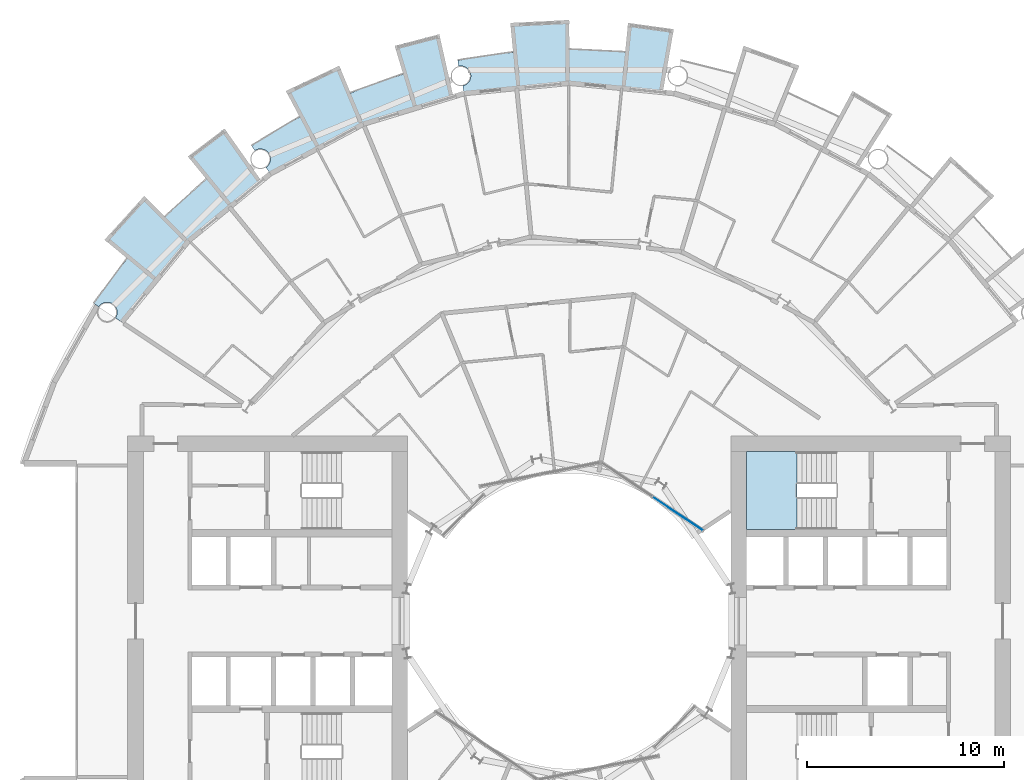
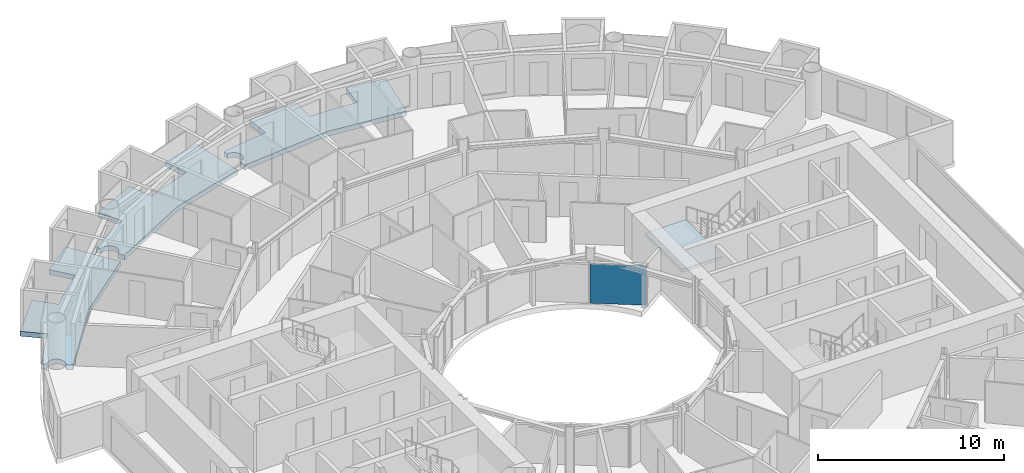
# One storey, part 11 of 26: 4 slabs, 1 plate, 2 elements without a shape of their own.
"""IFC4 building model written with IfcOpenShell, lengths in metres."""

from ifc_helpers import new_model, si_unit, direction, frame, origin, origin_2d, place, context, subcontext, project, spatial, polyline, rectangle, outline, extrude, material, layer, layer_set, type_object, element, aggregate, save


model = new_model("IFC4")

# Units and contexts
model_context = context("Model", 3, precision=1e-05, world=origin(), true_north=direction((0.0, 1.0)))
body_context = subcontext(model_context, "Body", "Model", "MODEL_VIEW")
ifc_project = project(units=[si_unit("LENGTHUNIT", "METRE"), si_unit("AREAUNIT", "SQUARE_METRE"), si_unit("VOLUMEUNIT", "CUBIC_METRE"), si_unit("PLANEANGLEUNIT", "RADIAN"), si_unit("MASSUNIT", "GRAM", prefix="KILO")], contexts=[model_context])

# Site, building, storey
site_placement = place(None, origin())
site = spatial("IfcSite", under=ifc_project, at=site_placement, CompositionType="ELEMENT")
building_placement = place(site_placement, origin())
building = spatial("IfcBuilding", under=site, at=building_placement, Name="Maasbend Ring Residences", CompositionType="ELEMENT")
storey_placement = place(building_placement, frame((0.0, 0.0, 22.800048828125)))
storey = spatial("IfcBuildingStorey", under=building, at=storey_placement, Name="L05", CompositionType="ELEMENT", Elevation=22.800048828125)

# Stair, slab
ifc_material_1 = material(Name="Concrete C40/50", Category="concrete")
stair_type = type_object("IfcStairType", Name="CORE STAIR 18 RISERS", PredefinedType="HALF_TURN_STAIR", material=ifc_material_1)
stair_placement = place(storey_placement, origin())
stair = element("IfcStair", 1, at=stair_placement, inside=storey, type_object=stair_type, Name="L05 Exit stair ST-E1", PredefinedType="HALF_TURN_STAIR")
ifc_material_2 = material(Name="Concrete C40/50", Category="concrete")
ifc_layer_1 = layer(ifc_material_2, 0.199951171875)
ifc_layer_set_1 = layer_set([ifc_layer_1], Name="Concrete C40/50")
slab_type_1 = type_object("IfcSlabType", Name="CORE STAIR LANDING 200", PredefinedType="LANDING", material=ifc_layer_set_1)
slab_1_placement = place(storey_placement, frame((0.0, 0.0, 1.324951171875)))
slab_1 = element("IfcSlab", 2, at=slab_1_placement, type_object=slab_type_1, Name="ST-E1 landing 1", PredefinedType="LANDING", context=body_context, shape_type="SweptSolid", body=[
    extrude(outline(polyline([(11.550048828125, 8.60009765625), (9.0, 8.60009765625), (9.0, 4.64990234375), (11.550048828125, 4.64990234375), (11.550048828125, 8.60009765625)])), origin(), (0.0, 0.0, 1.0), 0.199951171875),
])
aggregate(stair, [slab_1])

# Curtain wall, plate
ifc_material_3 = material(Name="Aluminium and clear glass", Category="aluminium")
ifc_layer_2 = layer(ifc_material_3, 0.179931640625)
ifc_layer_set_2 = layer_set([ifc_layer_2], Name="CW-W")
curtain_wall_type = type_object("IfcCurtainWallType", Name="CW-W", PredefinedType="NOTDEFINED", material=ifc_layer_set_2)
curtain_wall_placement = place(storey_placement, origin())
curtain_wall = element("IfcCurtainWall", 3, at=curtain_wall_placement, inside=storey, type_object=curtain_wall_type, Name="Well curtain wall N1", PredefinedType="NOTDEFINED")
ifc_material_4 = material(Name="Glass clear laminated", Category="glass")
ifc_layer_3 = layer(ifc_material_4, 0.031982421875)
ifc_layer_set_3 = layer_set([ifc_layer_3], Name="CWP-W")
plate_type = type_object("IfcPlateType", Name="CWP-W", PredefinedType="CURTAIN_PANEL", material=ifc_layer_set_3)
plate_placement = place(storey_placement, frame((5.51123046875, 5.44580078125, 0.0), z_axis=(0.0, 0.0, 1.0), x_axis=(-0.831469612303, 0.55557023302, 0.0)))
plate = element("IfcPlate", 4, at=plate_placement, type_object=plate_type, Name="Glass panel well face", PredefinedType="CURTAIN_PANEL", context=body_context, shape_type="SweptSolid", body=[
    extrude(rectangle(XDim=3.053955078125, YDim=0.031982421875, at=origin_2d()), origin(), (0.0, 0.0, 1.0), 2.580078125),
])
aggregate(curtain_wall, [plate])

# Slabs
ifc_material_5 = material(Name="Concrete C40/50", Category="concrete")
ifc_layer_4 = layer(ifc_material_5, 0.199951171875)
ifc_layer_set_4 = layer_set([ifc_layer_4], Name="Concrete C40/50")
slab_type_2 = type_object("IfcSlabType", Name="SL-LOGGIA", PredefinedType="FLOOR", material=ifc_layer_set_4)
slab_2_placement = place(storey_placement, frame((0.0, 0.0, -0.35009765625)))
element("IfcSlab", 5, at=slab_2_placement, inside=storey, type_object=slab_type_2, Name="Loggia floor 1", PredefinedType="FLOOR", context=body_context, shape_type="SweptSolid", body=[
    extrude(outline(polyline([(-14.5, 25.114990234375), (-13.6708984375, 25.574951171875), (-13.6708984375, 25.575927734375), (-13.6708984375, 25.575927734375), (-13.6708984375, 25.575927734375), (-13.6708984375, 25.575927734375), (-13.6708984375, 25.575927734375), (-13.6708984375, 25.575927734375), (-13.6708984375, 25.575927734375), (-13.6708984375, 25.575927734375), (-13.6708984375, 25.575927734375), (-13.6708984375, 25.575927734375), (-13.6708984375, 25.575927734375), (-13.6708984375, 25.575927734375), (-13.6708984375, 25.575927734375), (-13.6708984375, 25.575927734375), (-13.6708984375, 25.575927734375), (-13.6708984375, 25.575927734375), (-14.3779296875, 26.89892578125), (-14.3779296875, 26.89892578125), (-14.3779296875, 26.89892578125), (-11.672119140625, 28.177978515625), (-11.672119140625, 28.177978515625), (-11.672119140625, 28.177978515625), (-11.097900390625, 26.79296875), (-11.097900390625, 26.79296875), (-11.097900390625, 26.79296875), (-11.097900390625, 26.79296875), (-11.097900390625, 26.79296875), (-11.097900390625, 26.79296875), (-11.097900390625, 26.79296875), (-11.097900390625, 26.79296875), (-11.097900390625, 26.79296875), (-11.097900390625, 26.79296875), (-11.097900390625, 26.79296875), (-11.097900390625, 26.79296875), (-11.097900390625, 26.79296875), (-11.097900390625, 26.79296875), (-11.096923828125, 26.79296875), (-11.096923828125, 26.79296875), (-11.096923828125, 26.79296875), (-10.215087890625, 27.14111328125), (-10.215087890625, 27.14111328125), (-9.322021484375, 27.4609375), (-9.322021484375, 27.4609375), (-8.4189453125, 27.7509765625), (-8.4189453125, 27.7509765625), (-8.4189453125, 27.7509765625), (-8.4189453125, 27.7509765625), (-8.4189453125, 27.7509765625), (-8.4189453125, 27.7509765625), (-8.41796875, 27.7509765625), (-8.41796875, 27.7509765625), (-8.41796875, 27.7509765625), (-8.41796875, 27.7509765625), (-8.41796875, 27.7509765625), (-8.41796875, 27.751953125), (-8.41796875, 27.751953125), (-8.41796875, 27.751953125), (-8.41796875, 27.751953125), (-8.41796875, 27.751953125), (-8.41796875, 27.751953125), (-8.85400390625, 29.18701171875), (-8.85400390625, 29.18701171875), (-8.85400390625, 29.18701171875), (-6.593994140625, 29.779052734375), (-6.593994140625, 29.779052734375), (-6.593994140625, 29.779052734375), (-5.89111328125, 26.60400390625), (-5.89111328125, 26.60400390625), (-5.89111328125, 26.60400390625), (-7.886962890625, 25.9990234375), (-10.447021484375, 25.221923828125), (-10.447021484375, 25.221923828125), (-10.447021484375, 25.221923828125), (-12.806884765625, 23.9609375), (-15.1669921875, 22.698974609375), (-15.1669921875, 22.698974609375), (-15.1669921875, 22.698974609375), (-15.385009765625, 23.02490234375), (-15.375, 23.031982421875), (-15.364013671875, 23.0390625), (-15.35498046875, 23.047119140625), (-15.344970703125, 23.054931640625), (-15.3349609375, 23.06298828125), (-15.325927734375, 23.071044921875), (-15.31689453125, 23.0791015625), (-15.30810546875, 23.087890625), (-15.299072265625, 23.096923828125), (-15.291015625, 23.10595703125), (-15.281982421875, 23.115966796875), (-15.27392578125, 23.125), (-15.26708984375, 23.135009765625), (-15.259033203125, 23.14501953125), (-15.251953125, 23.155029296875), (-15.2451171875, 23.1650390625), (-15.238037109375, 23.176025390625), (-15.23095703125, 23.18603515625), (-15.22509765625, 23.197021484375), (-15.218994140625, 23.2080078125), (-15.212890625, 23.218994140625), (-15.2080078125, 23.22998046875), (-15.202880859375, 23.241943359375), (-15.197998046875, 23.2529296875), (-15.193115234375, 23.264892578125), (-15.18896484375, 23.27587890625), (-15.18505859375, 23.2880859375), (-15.180908203125, 23.300048828125), (-15.177978515625, 23.31201171875), (-15.174072265625, 23.323974609375), (-15.1708984375, 23.3359375), (-15.1689453125, 23.347900390625), (-15.1669921875, 23.361083984375), (-15.1650390625, 23.373046875), (-15.1630859375, 23.385009765625), (-15.162109375, 23.39794921875), (-15.159912109375, 23.409912109375), (-15.159912109375, 23.422119140625), (-15.158935546875, 23.43505859375), (-15.158935546875, 23.447021484375), (-15.158935546875, 23.4599609375), (-15.159912109375, 23.471923828125), (-15.159912109375, 23.485107421875), (-15.162109375, 23.4970703125), (-15.1630859375, 23.510009765625), (-15.1650390625, 23.52197265625), (-15.1669921875, 23.533935546875), (-15.1689453125, 23.547119140625), (-15.1708984375, 23.55908203125), (-15.174072265625, 23.571044921875), (-15.177978515625, 23.5830078125), (-15.180908203125, 23.594970703125), (-15.18505859375, 23.60693359375), (-15.18896484375, 23.618896484375), (-15.193115234375, 23.6298828125), (-15.197998046875, 23.64208984375), (-15.202880859375, 23.653076171875), (-15.2080078125, 23.6650390625), (-15.212890625, 23.676025390625), (-15.218994140625, 23.68701171875), (-15.22509765625, 23.697998046875), (-15.23095703125, 23.708984375), (-15.238037109375, 23.718994140625), (-15.2451171875, 23.72998046875), (-15.251953125, 23.739990234375), (-15.259033203125, 23.75), (-15.26708984375, 23.760009765625), (-15.27392578125, 23.77001953125), (-15.281982421875, 23.779052734375), (-15.291015625, 23.7890625), (-15.299072265625, 23.798095703125), (-15.30810546875, 23.806884765625), (-15.31689453125, 23.81494140625), (-15.325927734375, 23.823974609375), (-15.3349609375, 23.83203125), (-15.344970703125, 23.840087890625), (-15.35498046875, 23.847900390625), (-15.364013671875, 23.85498046875), (-15.375, 23.863037109375), (-15.385009765625, 23.8701171875), (-15.39501953125, 23.876953125), (-15.406005859375, 23.883056640625), (-15.4169921875, 23.888916015625), (-15.427978515625, 23.89501953125), (-15.43896484375, 23.90087890625), (-15.449951171875, 23.906982421875), (-15.4609375, 23.912109375), (-15.472900390625, 23.9169921875), (-15.48388671875, 23.9208984375), (-15.49609375, 23.926025390625), (-15.508056640625, 23.929931640625), (-15.52001953125, 23.93408203125), (-15.531982421875, 23.93701171875), (-15.5439453125, 23.93994140625), (-15.555908203125, 23.943115234375), (-15.568115234375, 23.946044921875), (-15.580078125, 23.947998046875), (-15.593017578125, 23.949951171875), (-15.60498046875, 23.951904296875), (-15.616943359375, 23.952880859375), (-15.6298828125, 23.9541015625), (-15.64208984375, 23.955078125), (-15.655029296875, 23.955078125), (-15.6669921875, 23.955078125), (-15.679931640625, 23.955078125), (-15.69189453125, 23.955078125), (-15.7041015625, 23.9541015625), (-15.717041015625, 23.952880859375), (-15.72900390625, 23.951904296875), (-15.741943359375, 23.949951171875), (-15.75390625, 23.947998046875), (-15.76611328125, 23.946044921875), (-15.778076171875, 23.943115234375), (-15.791015625, 23.93994140625), (-15.802978515625, 23.93701171875), (-15.81494140625, 23.93408203125), (-15.825927734375, 23.929931640625), (-15.837890625, 23.926025390625), (-15.85009765625, 23.9208984375), (-15.862060546875, 23.9169921875), (-15.873046875, 23.912109375), (-15.884033203125, 23.906982421875), (-15.89599609375, 23.90087890625), (-15.906982421875, 23.89501953125), (-15.9169921875, 23.888916015625), (-15.927978515625, 23.883056640625), (-15.93896484375, 23.876953125), (-15.948974609375, 23.8701171875), (-16.112060546875, 24.113037109375), (-16.112060546875, 24.113037109375), (-16.112060546875, 24.113037109375), (-15.31396484375, 24.626953125), (-15.31396484375, 24.626953125), (-14.5, 25.114990234375), (-14.5, 25.114990234375)])), origin(), (0.0, 0.0, 1.0), 0.320068359375),
])
slab_3_placement = place(storey_placement, frame((0.0, 0.0, -0.35009765625)))
element("IfcSlab", 6, at=slab_3_placement, inside=storey, type_object=slab_type_2, Name="Loggia floor 3", PredefinedType="FLOOR", context=body_context, shape_type="SweptSolid", body=[
    extrude(outline(polyline([(-3.784912109375, 28.751953125), (-2.843017578125, 28.860107421875), (-2.843017578125, 28.860107421875), (-2.843017578125, 28.860107421875), (-2.843017578125, 28.860107421875), (-2.843017578125, 28.860107421875), (-2.843017578125, 28.860107421875), (-2.843017578125, 28.860107421875), (-2.843017578125, 28.860107421875), (-2.843017578125, 28.860107421875), (-2.843017578125, 28.861083984375), (-2.843017578125, 28.861083984375), (-2.843017578125, 28.861083984375), (-2.843017578125, 28.861083984375), (-2.843017578125, 28.861083984375), (-2.843017578125, 28.861083984375), (-2.843017578125, 28.861083984375), (-2.843017578125, 28.861083984375), (-2.989990234375, 30.35302734375), (-2.989990234375, 30.35302734375), (-2.989990234375, 30.35302734375), (0.0, 30.5), (0.0, 30.5), (0.0, 30.5), (0.0, 29.0), (0.0, 29.0), (0.0, 29.0), (0.0, 29.0), (0.0, 29.0), (0.0, 29.0), (0.0, 29.0), (0.0, 29.0), (0.0, 29.0), (0.0, 29.0), (0.0, 29.0), (0.0, 29.0), (0.0, 29.0), (0.0, 29.0), (0.0, 29.0), (0.0, 29.0), (0.0, 29.0), (0.948974609375, 28.98388671875), (0.948974609375, 28.98388671875), (1.89697265625, 28.93798828125), (1.89697265625, 28.93798828125), (2.842041015625, 28.860107421875), (2.842041015625, 28.860107421875), (2.842041015625, 28.860107421875), (2.842041015625, 28.860107421875), (2.842041015625, 28.860107421875), (2.842041015625, 28.860107421875), (2.842041015625, 28.860107421875), (2.842041015625, 28.860107421875), (2.842041015625, 28.861083984375), (2.842041015625, 28.861083984375), (2.842041015625, 28.861083984375), (2.842041015625, 28.861083984375), (2.842041015625, 28.861083984375), (2.843017578125, 28.861083984375), (2.843017578125, 28.861083984375), (2.843017578125, 28.861083984375), (2.843017578125, 28.861083984375), (2.989990234375, 30.35302734375), (2.989990234375, 30.35302734375), (2.989990234375, 30.35302734375), (5.303955078125, 30.034912109375), (5.303955078125, 30.034912109375), (5.303955078125, 30.034912109375), (4.739013671875, 26.8330078125), (4.739013671875, 26.8330078125), (4.739013671875, 26.8330078125), (2.6630859375, 27.0380859375), (0.0, 27.300048828125), (0.0, 27.300048828125), (0.0, 27.300048828125), (-2.6630859375, 27.0380859375), (-5.325927734375, 26.77490234375), (-5.325927734375, 26.77490234375), (-5.325927734375, 26.77490234375), (-5.402099609375, 27.159912109375), (-5.402099609375, 27.159912109375), (-5.389892578125, 27.162109375), (-5.3779296875, 27.1650390625), (-5.365966796875, 27.1689453125), (-5.35400390625, 27.172119140625), (-5.342041015625, 27.176025390625), (-5.330078125, 27.179931640625), (-5.319091796875, 27.18408203125), (-5.306884765625, 27.18896484375), (-5.2958984375, 27.194091796875), (-5.283935546875, 27.198974609375), (-5.27294921875, 27.2041015625), (-5.261962890625, 27.2099609375), (-5.2509765625, 27.216064453125), (-5.239990234375, 27.221923828125), (-5.22998046875, 27.22900390625), (-5.218994140625, 27.236083984375), (-5.208984375, 27.242919921875), (-5.198974609375, 27.25), (-5.18896484375, 27.258056640625), (-5.178955078125, 27.264892578125), (-5.169921875, 27.27294921875), (-5.159912109375, 27.281982421875), (-5.15087890625, 27.2900390625), (-5.14208984375, 27.299072265625), (-5.134033203125, 27.30810546875), (-5.125, 27.31689453125), (-5.116943359375, 27.325927734375), (-5.10888671875, 27.3359375), (-5.10107421875, 27.345947265625), (-5.093017578125, 27.35498046875), (-5.0859375, 27.365966796875), (-5.0791015625, 27.3759765625), (-5.072021484375, 27.385986328125), (-5.06591796875, 27.39697265625), (-5.05908203125, 27.407958984375), (-5.052978515625, 27.4189453125), (-5.048095703125, 27.429931640625), (-5.0419921875, 27.44091796875), (-5.037109375, 27.451904296875), (-5.031982421875, 27.464111328125), (-5.028076171875, 27.47509765625), (-5.02294921875, 27.487060546875), (-5.01904296875, 27.4990234375), (-5.014892578125, 27.510986328125), (-5.011962890625, 27.52294921875), (-5.009033203125, 27.534912109375), (-5.006103515625, 27.547119140625), (-5.0029296875, 27.55908203125), (-5.0009765625, 27.571044921875), (-4.9990234375, 27.583984375), (-4.9970703125, 27.595947265625), (-4.99609375, 27.60791015625), (-4.9951171875, 27.62109375), (-4.993896484375, 27.633056640625), (-4.993896484375, 27.64599609375), (-4.993896484375, 27.657958984375), (-4.993896484375, 27.6708984375), (-4.993896484375, 27.68310546875), (-4.9951171875, 27.695068359375), (-4.99609375, 27.7080078125), (-4.9970703125, 27.719970703125), (-4.9990234375, 27.73291015625), (-5.0009765625, 27.7451171875), (-5.0029296875, 27.757080078125), (-5.006103515625, 27.76904296875), (-5.009033203125, 27.781982421875), (-5.011962890625, 27.7939453125), (-5.014892578125, 27.805908203125), (-5.01904296875, 27.81689453125), (-5.02294921875, 27.8291015625), (-5.028076171875, 27.841064453125), (-5.031982421875, 27.85302734375), (-5.037109375, 27.864013671875), (-5.0419921875, 27.875), (-5.048095703125, 27.886962890625), (-5.052978515625, 27.89794921875), (-5.05908203125, 27.907958984375), (-5.06591796875, 27.9189453125), (-5.072021484375, 27.929931640625), (-5.0791015625, 27.93994140625), (-5.0859375, 27.950927734375), (-5.093017578125, 27.9609375), (-5.10107421875, 27.970947265625), (-5.10888671875, 27.97998046875), (-5.116943359375, 27.989990234375), (-5.125, 27.9990234375), (-5.134033203125, 28.008056640625), (-5.14208984375, 28.01708984375), (-5.15087890625, 28.02587890625), (-5.159912109375, 28.034912109375), (-5.169921875, 28.04296875), (-5.178955078125, 28.051025390625), (-5.18896484375, 28.05908203125), (-5.198974609375, 28.06591796875), (-5.208984375, 28.072998046875), (-5.218994140625, 28.080078125), (-5.22998046875, 28.0869140625), (-5.239990234375, 28.093994140625), (-5.2509765625, 28.10009765625), (-5.261962890625, 28.10595703125), (-5.27294921875, 28.112060546875), (-5.283935546875, 28.116943359375), (-5.2958984375, 28.123046875), (-5.306884765625, 28.126953125), (-5.319091796875, 28.132080078125), (-5.330078125, 28.135986328125), (-5.342041015625, 28.139892578125), (-5.35400390625, 28.14404296875), (-5.365966796875, 28.14794921875), (-5.3779296875, 28.15087890625), (-5.389892578125, 28.154052734375), (-5.402099609375, 28.156005859375), (-5.4150390625, 28.158935546875), (-5.427001953125, 28.160888671875), (-5.43896484375, 28.162109375), (-5.451904296875, 28.1640625), (-5.464111328125, 28.1650390625), (-5.47705078125, 28.1650390625), (-5.489013671875, 28.166015625), (-5.501953125, 28.166015625), (-5.513916015625, 28.166015625), (-5.52587890625, 28.1650390625), (-5.5390625, 28.1650390625), (-5.551025390625, 28.1640625), (-5.56396484375, 28.162109375), (-5.575927734375, 28.160888671875), (-5.587890625, 28.158935546875), (-5.60107421875, 28.156005859375), (-5.60107421875, 28.156005859375), (-5.657958984375, 28.443115234375), (-5.657958984375, 28.443115234375), (-5.657958984375, 28.443115234375), (-4.72412109375, 28.613037109375), (-4.72412109375, 28.613037109375), (-3.784912109375, 28.751953125), (-3.784912109375, 28.751953125)])), origin(), (0.0, 0.0, 1.0), 0.320068359375),
])
slab_4_placement = place(storey_placement, frame((0.0, 0.0, -0.35009765625)))
element("IfcSlab", 7, at=slab_4_placement, inside=storey, type_object=slab_type_2, Name="Loggia floor 5", PredefinedType="FLOOR", context=body_context, shape_type="SweptSolid", body=[
    extrude(outline(polyline([(-23.007080078125, 17.654052734375), (-22.41796875, 18.39697265625), (-22.41796875, 18.39697265625), (-22.41796875, 18.39697265625), (-22.41796875, 18.39697265625), (-22.41796875, 18.39697265625), (-22.41796875, 18.39697265625), (-22.41796875, 18.39697265625), (-22.41796875, 18.39697265625), (-22.41796875, 18.39697265625), (-22.41796875, 18.39697265625), (-22.41796875, 18.39697265625), (-22.41796875, 18.39794921875), (-22.41796875, 18.39794921875), (-22.41796875, 18.39794921875), (-22.41796875, 18.39794921875), (-22.41796875, 18.39794921875), (-22.41796875, 18.39794921875), (-23.576904296875, 19.34912109375), (-23.576904296875, 19.34912109375), (-23.576904296875, 19.34912109375), (-21.56689453125, 21.56689453125), (-21.56689453125, 21.56689453125), (-21.56689453125, 21.56689453125), (-20.506103515625, 20.506103515625), (-20.506103515625, 20.506103515625), (-20.506103515625, 20.506103515625), (-20.506103515625, 20.506103515625), (-20.506103515625, 20.506103515625), (-20.506103515625, 20.506103515625), (-20.506103515625, 20.506103515625), (-20.506103515625, 20.506103515625), (-20.506103515625, 20.506103515625), (-20.506103515625, 20.506103515625), (-20.506103515625, 20.506103515625), (-20.506103515625, 20.506103515625), (-20.506103515625, 20.506103515625), (-20.506103515625, 20.506103515625), (-20.506103515625, 20.506103515625), (-20.506103515625, 20.506103515625), (-20.506103515625, 20.506103515625), (-19.823974609375, 21.166015625), (-19.823974609375, 21.166015625), (-19.12109375, 21.802978515625), (-19.12109375, 21.802978515625), (-18.39794921875, 22.4169921875), (-18.39794921875, 22.4169921875), (-18.39794921875, 22.4169921875), (-18.39794921875, 22.4169921875), (-18.39794921875, 22.4169921875), (-18.39794921875, 22.4169921875), (-18.39794921875, 22.4169921875), (-18.39794921875, 22.4169921875), (-18.39794921875, 22.4169921875), (-18.39794921875, 22.4169921875), (-18.39794921875, 22.4169921875), (-18.39794921875, 22.4169921875), (-18.39794921875, 22.41796875), (-18.39794921875, 22.41796875), (-18.39794921875, 22.41796875), (-18.39794921875, 22.41796875), (-18.39794921875, 22.41796875), (-19.34912109375, 23.576904296875), (-19.34912109375, 23.576904296875), (-19.34912109375, 23.576904296875), (-17.488037109375, 24.989013671875), (-17.488037109375, 24.989013671875), (-17.488037109375, 24.989013671875), (-15.623046875, 22.324951171875), (-15.623046875, 22.324951171875), (-15.623046875, 22.324951171875), (-17.236083984375, 21.001953125), (-19.303955078125, 19.303955078125), (-19.303955078125, 19.303955078125), (-19.303955078125, 19.303955078125), (-21.001953125, 17.236083984375), (-22.698974609375, 15.1669921875), (-22.698974609375, 15.1669921875), (-22.698974609375, 15.1669921875), (-23.02490234375, 15.385009765625), (-23.02490234375, 15.385009765625), (-23.01806640625, 15.39501953125), (-23.011962890625, 15.406005859375), (-23.0048828125, 15.4169921875), (-22.9990234375, 15.427978515625), (-22.993896484375, 15.43896484375), (-22.988037109375, 15.449951171875), (-22.98291015625, 15.4609375), (-22.97802734375, 15.472900390625), (-22.972900390625, 15.48388671875), (-22.968994140625, 15.49609375), (-22.965087890625, 15.508056640625), (-22.9609375, 15.52001953125), (-22.9580078125, 15.531982421875), (-22.955078125, 15.5439453125), (-22.951904296875, 15.555908203125), (-22.948974609375, 15.568115234375), (-22.947021484375, 15.580078125), (-22.945068359375, 15.593017578125), (-22.943115234375, 15.60498046875), (-22.94189453125, 15.616943359375), (-22.94091796875, 15.6298828125), (-22.93994140625, 15.64208984375), (-22.93994140625, 15.655029296875), (-22.93896484375, 15.6669921875), (-22.93994140625, 15.679931640625), (-22.93994140625, 15.69189453125), (-22.94091796875, 15.7041015625), (-22.94189453125, 15.717041015625), (-22.943115234375, 15.72900390625), (-22.945068359375, 15.741943359375), (-22.947021484375, 15.75390625), (-22.948974609375, 15.76611328125), (-22.951904296875, 15.778076171875), (-22.955078125, 15.791015625), (-22.9580078125, 15.802978515625), (-22.9609375, 15.81494140625), (-22.965087890625, 15.825927734375), (-22.968994140625, 15.837890625), (-22.972900390625, 15.85009765625), (-22.97802734375, 15.862060546875), (-22.98291015625, 15.873046875), (-22.988037109375, 15.884033203125), (-22.993896484375, 15.89599609375), (-22.9990234375, 15.906982421875), (-23.0048828125, 15.9169921875), (-23.011962890625, 15.927978515625), (-23.01806640625, 15.93896484375), (-23.02490234375, 15.948974609375), (-23.031982421875, 15.9599609375), (-23.0390625, 15.969970703125), (-23.047119140625, 15.97998046875), (-23.054931640625, 15.989013671875), (-23.06298828125, 15.9990234375), (-23.071044921875, 16.008056640625), (-23.0791015625, 16.01708984375), (-23.087890625, 16.02587890625), (-23.096923828125, 16.034912109375), (-23.10595703125, 16.0439453125), (-23.115966796875, 16.052001953125), (-23.125, 16.06005859375), (-23.135009765625, 16.068115234375), (-23.14501953125, 16.074951171875), (-23.155029296875, 16.08203125), (-23.1650390625, 16.089111328125), (-23.176025390625, 16.095947265625), (-23.18603515625, 16.10302734375), (-23.197021484375, 16.10888671875), (-23.2080078125, 16.114990234375), (-23.218994140625, 16.12109375), (-23.22998046875, 16.1259765625), (-23.241943359375, 16.132080078125), (-23.2529296875, 16.135986328125), (-23.264892578125, 16.14111328125), (-23.27587890625, 16.14501953125), (-23.2880859375, 16.14892578125), (-23.300048828125, 16.153076171875), (-23.31201171875, 16.156982421875), (-23.323974609375, 16.159912109375), (-23.3359375, 16.1630859375), (-23.347900390625, 16.1650390625), (-23.361083984375, 16.16796875), (-23.373046875, 16.169921875), (-23.385009765625, 16.1708984375), (-23.39794921875, 16.173095703125), (-23.409912109375, 16.174072265625), (-23.422119140625, 16.174072265625), (-23.43505859375, 16.175048828125), (-23.447021484375, 16.175048828125), (-23.4599609375, 16.175048828125), (-23.471923828125, 16.174072265625), (-23.485107421875, 16.174072265625), (-23.4970703125, 16.173095703125), (-23.510009765625, 16.1708984375), (-23.52197265625, 16.169921875), (-23.533935546875, 16.16796875), (-23.547119140625, 16.1650390625), (-23.55908203125, 16.1630859375), (-23.571044921875, 16.159912109375), (-23.5830078125, 16.156982421875), (-23.594970703125, 16.153076171875), (-23.60693359375, 16.14892578125), (-23.618896484375, 16.14501953125), (-23.6298828125, 16.14111328125), (-23.64208984375, 16.135986328125), (-23.653076171875, 16.132080078125), (-23.6650390625, 16.1259765625), (-23.676025390625, 16.12109375), (-23.68701171875, 16.114990234375), (-23.697998046875, 16.10888671875), (-23.708984375, 16.10302734375), (-23.718994140625, 16.095947265625), (-23.72998046875, 16.089111328125), (-23.739990234375, 16.08203125), (-23.75, 16.074951171875), (-23.760009765625, 16.068115234375), (-23.77001953125, 16.06005859375), (-23.779052734375, 16.052001953125), (-23.7890625, 16.0439453125), (-23.798095703125, 16.034912109375), (-23.806884765625, 16.02587890625), (-23.81494140625, 16.01708984375), (-23.823974609375, 16.008056640625), (-23.83203125, 15.9990234375), (-23.840087890625, 15.989013671875), (-23.847900390625, 15.97998046875), (-23.85498046875, 15.969970703125), (-23.863037109375, 15.9599609375), (-23.8701171875, 15.948974609375), (-23.8701171875, 15.948974609375), (-24.113037109375, 16.112060546875), (-24.113037109375, 16.112060546875), (-24.113037109375, 16.112060546875), (-23.572998046875, 16.89208984375), (-23.572998046875, 16.89208984375), (-23.007080078125, 17.654052734375), (-23.007080078125, 17.654052734375)])), origin(), (0.0, 0.0, 1.0), 0.320068359375),
])

save(model, "model.ifc")
